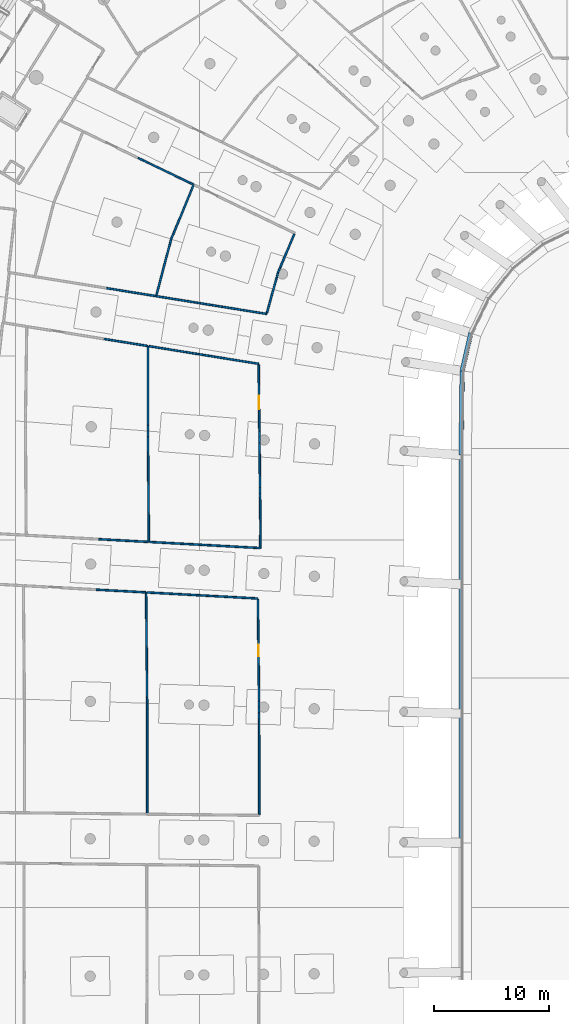
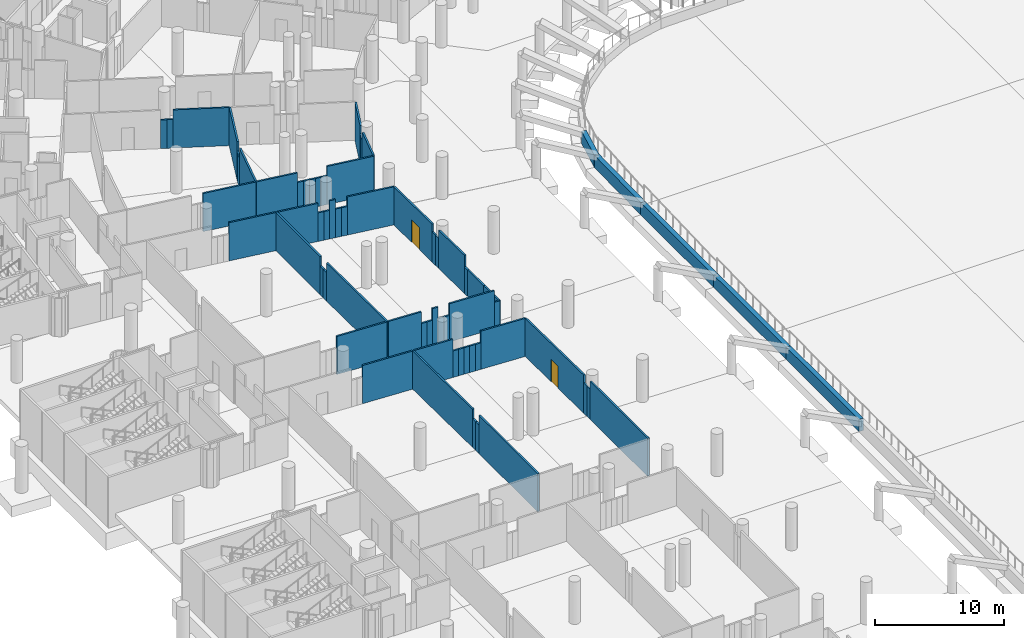
# One storey, part 70 of 142: 68 walls, 2 doors, 2 openings.
"""IFC4 building model written with IfcOpenShell, lengths in metres."""

import ifcopenshell
import ifcopenshell.guid

model = None  # the IFC model being written
_history = None  # IfcOwnerHistory: only IFC2X3 demands one
_inside = {}  # id of a spatial element -> (the spatial element, [elements in it])
_under = {}  # id of a project, library or spatial element -> (it, [spatial elements below it])
_declared = {}  # id of a project -> (the project, [libraries it declares])
_typed = {}  # id of a type object -> (the type object, [elements of that type])
_made_of = {}  # id of a material, layer set ... -> (it, [elements and type objects made of it])


def new_model(schema):
    """Start an empty IFC model of exactly this schema.

    Asked for "IFC4X3", IfcOpenShell would pick the latest addendum, in which some entities
    have other attributes; the version numbers below select the first issue.
    IFC2X3 requires an IfcOwnerHistory on every rooted entity: one is made here for all.
    """
    global model, _history
    if schema == "IFC4X3":
        model = ifcopenshell.file(schema_version=(4, 3, 0, 0))
    else:
        model = ifcopenshell.file(schema=schema)
    _inside.clear()
    _under.clear()
    _declared.clear()
    _typed.clear()
    _made_of.clear()
    _history = None
    if model.schema == "IFC2X3":
        org = make("IfcOrganization", Name="unknown")
        user = make(
            "IfcPersonAndOrganization",
            ThePerson=make("IfcPerson", FamilyName="unknown"),
            TheOrganization=org,
        )
        app = make(
            "IfcApplication",
            ApplicationDeveloper=org,
            Version="unknown",
            ApplicationFullName="unknown",
            ApplicationIdentifier="unknown",
        )
        _history = make(
            "IfcOwnerHistory",
            OwningUser=user,
            OwningApplication=app,
            ChangeAction="ADDED",
            CreationDate=0,
        )
    return model


def make(cls, **values):
    """One entity of the class cls with the attributes given. An attribute that is None is left unset."""
    return model.create_entity(
        cls, **{name: value for name, value in values.items() if value is not None}
    )


def rooted(cls, **values):
    """An entity with a GlobalId (a new one), such as an element, a storey or a relation."""
    return make(cls, GlobalId=ifcopenshell.guid.new(), OwnerHistory=_history, **values)


def si_unit(unit_type, name, prefix=None):
    """IfcSIUnit, for example si_unit("LENGTHUNIT", "METRE", prefix="MILLI")."""
    return make("IfcSIUnit", UnitType=unit_type, Prefix=prefix, Name=name)


def assignment(units):
    """IfcUnitAssignment: the units of a project."""
    return None if units is None else make("IfcUnitAssignment", Units=units)


def point(xyz):
    """IfcCartesianPoint."""
    return None if xyz is None else make("IfcCartesianPoint", Coordinates=xyz)


def direction(xyz):
    """IfcDirection."""
    return None if xyz is None else make("IfcDirection", DirectionRatios=xyz)


def frame(location, z_axis=None, x_axis=None):
    """IfcAxis2Placement3D, a coordinate frame: its origin and axes. An axis left out is left unset."""
    return make(
        "IfcAxis2Placement3D",
        Location=point(location),
        Axis=direction(z_axis),
        RefDirection=direction(x_axis),
    )


def frame_2d(location, x_axis=None):
    """IfcAxis2Placement2D, a coordinate frame in the plane: its origin and x axis."""
    return make(
        "IfcAxis2Placement2D", Location=point(location), RefDirection=direction(x_axis)
    )


def origin():
    """The frame at (0, 0, 0) with its axes left unset."""
    return frame((0.0, 0.0, 0.0))


def place(relative_to, where):
    """IfcLocalPlacement: puts the frame where relative to a parent placement (None: the world)."""
    return make(
        "IfcLocalPlacement", PlacementRelTo=relative_to, RelativePlacement=where
    )


def context(
    kind, dimensions, precision=None, world=None, true_north=None, identifier=None
):
    """IfcGeometricRepresentationContext, for example the 3D "Model" context."""
    return make(
        "IfcGeometricRepresentationContext",
        ContextIdentifier=identifier,
        ContextType=kind,
        CoordinateSpaceDimension=dimensions,
        Precision=precision,
        WorldCoordinateSystem=world,
        TrueNorth=true_north,
    )


def subcontext(parent, identifier, kind, view, scale=None):
    """IfcGeometricRepresentationSubContext, for example "Body" below "Model"."""
    return make(
        "IfcGeometricRepresentationSubContext",
        ContextIdentifier=identifier,
        ContextType=kind,
        ParentContext=parent,
        TargetScale=scale,
        TargetView=view,
    )


def project(units=None, contexts=None):
    """IfcProject with its units and contexts."""
    return rooted(
        "IfcProject",
        Name="project",
        RepresentationContexts=contexts,
        UnitsInContext=assignment(units),
    )


def spatial(cls, under=None, at=None, **own):
    """A site, building, storey or space (cls), placed at a placement, below another one or the project."""
    s = rooted(cls, ObjectPlacement=at, **own)
    if under is not None:
        _under.setdefault(under.id(), (under, []))[1].append(s)
    return s


def profile(cls, at=None, kind="AREA", **sizes):
    """A parametric profile (cls). Its sizes go by their IFC names, for example OverallWidth=200.0."""
    return make(cls, ProfileType=kind, Position=at, **sizes)


def rectangle(**sizes):
    """IfcRectangleProfileDef."""
    return profile("IfcRectangleProfileDef", **sizes)


def extrude(swept, where, along, depth):
    """IfcExtrudedAreaSolid: the profile swept, set in the frame where, extruded along a direction by depth."""
    return make(
        "IfcExtrudedAreaSolid",
        SweptArea=swept,
        Position=where,
        ExtrudedDirection=direction(along),
        Depth=depth,
    )


def shape(context_of_items, identifier, shape_type, items):
    """IfcShapeRepresentation: the items that make up one representation, for example the "Body"."""
    return make(
        "IfcShapeRepresentation",
        ContextOfItems=context_of_items,
        RepresentationIdentifier=identifier,
        RepresentationType=shape_type,
        Items=items,
    )


def material(Name=None, Category=None):
    """IfcMaterial."""
    return make("IfcMaterial", Name=Name, Category=Category)


def layer(
    of_material, thickness, ventilated=None, Name=None, Category=None, Priority=None
):
    """IfcMaterialLayer: one layer of a wall or slab, of a material (None: an air gap)."""
    return make(
        "IfcMaterialLayer",
        Material=of_material,
        LayerThickness=thickness,
        IsVentilated=ventilated,
        Name=Name,
        Category=Category,
        Priority=Priority,
    )


def layer_set(layers, Name=None):
    """IfcMaterialLayerSet."""
    return make("IfcMaterialLayerSet", MaterialLayers=layers, LayerSetName=Name)


def made_of(thing, what):
    """Note that an element or type object is made of a material, layer set ...; save() writes the relation."""
    if what is not None:
        _made_of.setdefault(what.id(), (what, []))[1].append(thing)
    return thing


def type_object(cls, material=None, **own):
    """A type object (cls), such as IfcWallType, which elements share."""
    return made_of(rooted(cls, **own), material)


def element(
    cls,
    number,
    at=None,
    inside=None,
    cuts=None,
    type_object=None,
    material=None,
    context=None,
    identifier="Body",
    shape_type=None,
    held_by="IfcProductDefinitionShape",
    body=None,
    shapes=None,
    **own,
):
    """One element of the class cls, such as IfcWall. Its Tag is "e" and its number.

    at: its placement. inside: the storey or other place that contains it. cuts: it is an
    opening in that element (IfcRelVoidsElement). A single representation is given by context,
    identifier, shape_type and body (its items); several are given by shapes. held_by: the class
    of the entity that holds the representations. save() writes the other relations.
    """
    e = rooted(cls, Tag="e%d" % number, ObjectPlacement=at, **own)
    if body is not None:
        shapes = [shape(context, identifier, shape_type, body)]
    if shapes is not None:
        e.Representation = make(held_by, Representations=shapes)
    if inside is not None:
        _inside.setdefault(inside.id(), (inside, []))[1].append(e)
    if cuts is not None:
        rooted(
            "IfcRelVoidsElement", RelatingBuildingElement=cuts, RelatedOpeningElement=e
        )
    if type_object is not None:
        _typed.setdefault(type_object.id(), (type_object, []))[1].append(e)
    return made_of(e, material)


def fill(opening, filler):
    """IfcRelFillsElement: the door or window that sits in an opening."""
    return rooted(
        "IfcRelFillsElement",
        RelatingOpeningElement=opening,
        RelatedBuildingElement=filler,
    )


def aggregate(whole, parts):
    """IfcRelAggregates: a whole, such as a stair, and the parts it consists of."""
    return rooted("IfcRelAggregates", RelatingObject=whole, RelatedObjects=parts)


def save(model, path):
    """Write the relations noted so far, then the file.

    IfcRelAggregates (storeys below a building ...), IfcRelContainedInSpatialStructure (elements
    in a storey), IfcRelDefinesByType, IfcRelAssociatesMaterial and IfcRelDeclares: one each for
    every whole, place, type object, material and project.
    """
    for whole, parts in _under.values():
        aggregate(whole, parts)
    for where, things in _inside.values():
        rooted(
            "IfcRelContainedInSpatialStructure",
            RelatedElements=things,
            RelatingStructure=where,
        )
    for kind, things in _typed.values():
        rooted("IfcRelDefinesByType", RelatedObjects=things, RelatingType=kind)
    for what, things in _made_of.values():
        rooted("IfcRelAssociatesMaterial", RelatedObjects=things, RelatingMaterial=what)
    for by, libraries in _declared.values():
        rooted("IfcRelDeclares", RelatingContext=by, RelatedDefinitions=libraries)
    model.write(path)


model = new_model("IFC4")

# Units and contexts
model_context = context("Model", 3, precision=1e-05, world=origin(), true_north=direction((0.0, 1.0)))
body_context = subcontext(model_context, "Body", "Model", "MODEL_VIEW")
ifc_project = project(units=[si_unit("LENGTHUNIT", "METRE"), si_unit("AREAUNIT", "SQUARE_METRE"), si_unit("VOLUMEUNIT", "CUBIC_METRE"), si_unit("PLANEANGLEUNIT", "RADIAN"), si_unit("MASSUNIT", "GRAM", prefix="KILO")], contexts=[model_context])

# Site, building, storey
site_placement = place(None, origin())
site = spatial("IfcSite", under=ifc_project, at=site_placement, CompositionType="ELEMENT")
building_placement = place(site_placement, origin())
building = spatial("IfcBuilding", under=site, at=building_placement, Name="Meseta Stadium", CompositionType="ELEMENT")
storey_placement = place(building_placement, frame((0.0, 0.0, -4.0)))
storey = spatial("IfcBuildingStorey", under=building, at=storey_placement, Name="B1", CompositionType="ELEMENT", Elevation=-4.0)

# Walls
ifc_material_1 = material(Name="Masonry blockwork", Category="masonry")
ifc_layer_1 = layer(ifc_material_1, 0.14990234375)
ifc_layer_set_1 = layer_set([ifc_layer_1], Name="Partition 150")
wall_type_1 = type_object("IfcWallType", Name="Partition 150", PredefinedType="PARTITIONING", material=ifc_layer_set_1)
wall_1_placement = place(storey_placement, frame((-58.12939453125, 51.681884765625, 0.0), z_axis=(0.0, 0.0, 1.0), x_axis=(-0.987277601332, 0.159006093931, 0.0)))
element("IfcWall", 1, at=wall_1_placement, inside=storey, type_object=wall_type_1, Name="Partition B1 B1-cell13-1-0", PredefinedType="PARTITIONING", context=body_context, shape_type="SweptSolid", body=[
    extrude(rectangle(XDim=3.89990234375, YDim=0.14990234375, at=frame_2d((1.949951171875, 0.0))), origin(), (0.0, 0.0, 1.0), 3.60009765625),
])
wall_2_placement = place(storey_placement, frame((-61.979736328125, 52.302001953125, 0.0), z_axis=(0.0, 0.0, 1.0), x_axis=(-0.987324767868, 0.158712957107, 0.0)))
element("IfcWall", 2, at=wall_2_placement, inside=storey, type_object=wall_type_1, Name="Partition B1 B1-cell13-1-0", PredefinedType="PARTITIONING", context=body_context, shape_type="SweptSolid", body=[
    extrude(rectangle(XDim=0.487548828125, YDim=0.14990234375, at=frame_2d((0.24365234375, 0.0))), origin(), (0.0, 0.0, 1.0), 2.699951171875),
])
for number, where, z_axis, x_axis, name in (
    (3, (-62.461181640625, 52.37939453125, 0.0), (0.0, 0.0, 1.0), (-0.987312146687, 0.158791451294, 0.0), "Partition B1 B1-cell13-1-0"),
    (4, (-62.9423828125, 52.456787109375, 0.0), (0.0, 0.0, 1.0), (-0.987233499712, 0.159279681841, 0.0), "Partition B1 B1-cell13-1-0"),
):
    element("IfcWall", number, at=place(storey_placement, frame(where, z_axis=z_axis, x_axis=x_axis)), inside=storey, type_object=wall_type_1, Name=name, PredefinedType="PARTITIONING", context=body_context, shape_type="SweptSolid", body=[
        extrude(rectangle(XDim=0.4873046875, YDim=0.14990234375, at=frame_2d((0.24365234375, 0.0))), origin(), (0.0, 0.0, 1.0), 2.699951171875),
    ])
wall_3_placement = place(storey_placement, frame((-63.423583984375, 52.534423828125, 0.0), z_axis=(0.0, 0.0, 1.0), x_axis=(-0.987246197614, 0.159200958844, 0.0)))
element("IfcWall", 5, at=wall_3_placement, inside=storey, type_object=wall_type_1, Name="Partition B1 B1-cell13-1-0", PredefinedType="PARTITIONING", context=body_context, shape_type="SweptSolid", body=[
    extrude(rectangle(XDim=0.487548828125, YDim=0.14990234375, at=frame_2d((0.24365234375, 0.0))), origin(), (0.0, 0.0, 1.0), 2.699951171875),
])
wall_4_placement = place(storey_placement, frame((-63.905029296875, 52.612060546875, 0.0), z_axis=(0.0, 0.0, 1.0), x_axis=(-0.987312146687, 0.158791451294, 0.0)))
element("IfcWall", 6, at=wall_4_placement, inside=storey, type_object=wall_type_1, Name="Partition B1 B1-cell13-1-0", PredefinedType="PARTITIONING", context=body_context, shape_type="SweptSolid", body=[
    extrude(rectangle(XDim=0.4873046875, YDim=0.14990234375, at=frame_2d((0.24365234375, 0.0))), origin(), (0.0, 0.0, 1.0), 2.699951171875),
])
wall_5_placement = place(storey_placement, frame((-64.38623046875, 52.689453125, 0.0), z_axis=(0.0, 0.0, 1.0), x_axis=(-0.987272663744, 0.15903674866, 0.0)))
element("IfcWall", 7, at=wall_5_placement, inside=storey, type_object=wall_type_1, Name="Partition B1 B1-cell13-1-0", PredefinedType="PARTITIONING", context=body_context, shape_type="SweptSolid", body=[
    extrude(rectangle(XDim=3.41259765625, YDim=0.14990234375, at=frame_2d((1.706298828125, 0.0))), origin(), (0.0, 0.0, 1.0), 3.60009765625),
])
wall_6_placement = place(storey_placement, frame((-67.736083984375, 53.304931640625, 0.0), z_axis=(0.0, 0.0, 1.0), x_axis=(0.254938171393, 0.96695735623, 0.0)))
element("IfcWall", 8, at=wall_6_placement, inside=storey, type_object=wall_type_1, Name="Partition B1 B1-cell13-1-0", PredefinedType="PARTITIONING", context=body_context, shape_type="SweptSolid", body=[
    extrude(rectangle(XDim=4.591796875, YDim=0.14990234375, at=frame_2d((2.2958984375, 0.0))), origin(), (0.0, 0.0, 1.0), 3.60009765625),
])
for number, where, z_axis, x_axis, name in (
    (9, (-66.5654296875, 57.7451171875, 0.0), (0.0, 0.0, 1.0), (0.255317300773, 0.966857319322, 0.0), "Partition B1 B1-cell13-1-0"),
    (10, (-66.4462890625, 58.1962890625, 0.0), (0.0, 0.0, 1.0), (0.382459617246, 0.923972208011, 0.0), "Partition B1 B1-cell13-1-0"),
):
    element("IfcWall", number, at=place(storey_placement, frame(where, z_axis=z_axis, x_axis=x_axis)), inside=storey, type_object=wall_type_1, Name=name, PredefinedType="PARTITIONING", context=body_context, shape_type="SweptSolid", body=[
        extrude(rectangle(XDim=0.466552734375, YDim=0.14990234375, at=frame_2d((0.2333984375, 0.0))), origin(), (0.0, 0.0, 1.0), 2.699951171875),
    ])
wall_7_placement = place(storey_placement, frame((-66.267822265625, 58.62744140625, 0.0), z_axis=(0.0, 0.0, 1.0), x_axis=(0.382649092979, 0.923893755603, 0.0)))
element("IfcWall", 11, at=wall_7_placement, inside=storey, type_object=wall_type_1, Name="Partition B1 B1-cell13-1-0", PredefinedType="PARTITIONING", context=body_context, shape_type="SweptSolid", body=[
    extrude(rectangle(XDim=4.666015625, YDim=0.14990234375, at=frame_2d((2.3330078125, 0.0))), origin(), (0.0, 0.0, 1.0), 3.60009765625),
])
wall_8_placement = place(storey_placement, frame((-55.724853515625, 58.643310546875, 0.0), z_axis=(0.0, 0.0, 1.0), x_axis=(-0.38848189188, -0.92145635799, 0.0)))
element("IfcWall", 12, at=wall_8_placement, inside=storey, type_object=wall_type_1, Name="Partition B1 B1-cell13-1-0", PredefinedType="PARTITIONING", context=body_context, shape_type="SweptSolid", body=[
    extrude(rectangle(XDim=3.18505859375, YDim=0.14990234375, at=frame_2d((1.592529296875, 0.0))), origin(), (0.0, 0.0, 1.0), 3.60009765625),
])
wall_9_placement = place(storey_placement, frame((-56.962158203125, 55.70849609375, 0.0), z_axis=(0.0, 0.0, 1.0), x_axis=(-0.388408472716, -0.921487307738, 0.0)))
element("IfcWall", 13, at=wall_9_placement, inside=storey, type_object=wall_type_1, Name="Partition B1 B1-cell13-1-0", PredefinedType="PARTITIONING", context=body_context, shape_type="SweptSolid", body=[
    extrude(rectangle(XDim=0.4658203125, YDim=0.14990234375, at=frame_2d((0.23291015625, 0.0))), origin(), (0.0, 0.0, 1.0), 2.85009765625),
])
wall_10_placement = place(storey_placement, frame((-57.14306640625, 55.279296875, 0.0), z_axis=(0.0, 0.0, 1.0), x_axis=(-0.264401928242, -0.964412577864, 0.0)))
element("IfcWall", 14, at=wall_10_placement, inside=storey, type_object=wall_type_1, Name="Partition B1 B1-cell13-1-0", PredefinedType="PARTITIONING", context=body_context, shape_type="SweptSolid", body=[
    extrude(rectangle(XDim=0.46630859375, YDim=0.14990234375, at=frame_2d((0.233154296875, 0.0))), origin(), (0.0, 0.0, 1.0), 2.85009765625),
])
wall_11_placement = place(storey_placement, frame((-57.266357421875, 54.82958984375, 0.0), z_axis=(0.0, 0.0, 1.0), x_axis=(-0.264451721777, -0.96439892516, 0.0)))
element("IfcWall", 15, at=wall_11_placement, inside=storey, type_object=wall_type_1, Name="Partition B1 B1-cell13-1-0", PredefinedType="PARTITIONING", context=body_context, shape_type="SweptSolid", body=[
    extrude(rectangle(XDim=3.188720703125, YDim=0.14990234375, at=frame_2d((1.59423828125, 0.0))), origin(), (0.0, 0.0, 1.0), 3.60009765625),
])
wall_12_placement = place(storey_placement, frame((-67.8046875, 53.239990234375, 0.0), z_axis=(0.0, 0.0, 1.0), x_axis=(-0.9872743449, 0.159026311983, 0.0)))
element("IfcWall", 16, at=wall_12_placement, inside=storey, type_object=wall_type_1, Name="Partition B1 B1-cell13-2-0", PredefinedType="PARTITIONING", context=body_context, shape_type="SweptSolid", body=[
    extrude(rectangle(XDim=4.35693359375, YDim=0.14990234375, at=frame_2d((2.178466796875, 0.0))), origin(), (0.0, 0.0, 1.0), 3.60009765625),
])
wall_13_placement = place(storey_placement, frame((-69.326416015625, 65.267822265625, 0.0), z_axis=(0.0, 0.0, 1.0), x_axis=(0.901176710287, -0.433451885261, 0.0)))
element("IfcWall", 17, at=wall_13_placement, inside=storey, type_object=wall_type_1, Name="Partition B1 B1-cell13-2-0", PredefinedType="PARTITIONING", context=body_context, shape_type="SweptSolid", body=[
    extrude(rectangle(XDim=0.484375, YDim=0.14990234375, at=frame_2d((0.2421875, 0.0))), origin(), (0.0, 0.0, 1.0), 2.699951171875),
])
wall_14_placement = place(storey_placement, frame((-68.889892578125, 65.057861328125, 0.0), z_axis=(0.0, 0.0, 1.0), x_axis=(0.901184206062, -0.433436300676, 0.0)))
element("IfcWall", 18, at=wall_14_placement, inside=storey, type_object=wall_type_1, Name="Partition B1 B1-cell13-2-0", PredefinedType="PARTITIONING", context=body_context, shape_type="SweptSolid", body=[
    extrude(rectangle(XDim=0.48388671875, YDim=0.14990234375, at=frame_2d((0.241943359375, 0.0))), origin(), (0.0, 0.0, 1.0), 2.699951171875),
])
wall_15_placement = place(storey_placement, frame((-68.453857421875, 64.84814453125, 0.0), z_axis=(0.0, 0.0, 1.0), x_axis=(0.901191399525, -0.433421343986, 0.0)))
element("IfcWall", 19, at=wall_15_placement, inside=storey, type_object=wall_type_1, Name="Partition B1 B1-cell13-2-0", PredefinedType="PARTITIONING", context=body_context, shape_type="SweptSolid", body=[
    extrude(rectangle(XDim=4.35693359375, YDim=0.14990234375, at=frame_2d((2.178466796875, 0.0))), origin(), (0.0, 0.0, 1.0), 3.60009765625),
])
wall_16_placement = place(storey_placement, frame((-68.38818359375, 31.829833984375, 0.0), z_axis=(0.0, 0.0, 1.0), x_axis=(-0.008385393601, 0.999964841969, 0.0)))
element("IfcWall", 20, at=wall_16_placement, inside=storey, type_object=wall_type_1, Name="Partition B1 B1-cell14-1-0", PredefinedType="PARTITIONING", context=body_context, shape_type="SweptSolid", body=[
    extrude(rectangle(XDim=9.171142578125, YDim=0.14990234375, at=frame_2d((4.58544921875, 0.0))), origin(), (0.0, 0.0, 1.0), 3.60009765625),
])
wall_17_placement = place(storey_placement, frame((-68.465087890625, 41.000732421875, 0.0), z_axis=(0.0, 0.0, 1.0), x_axis=(-0.008598569316, 0.99996303162, 0.0)))
element("IfcWall", 21, at=wall_17_placement, inside=storey, type_object=wall_type_1, Name="Partition B1 B1-cell14-1-0", PredefinedType="PARTITIONING", context=body_context, shape_type="SweptSolid", body=[
    extrude(rectangle(XDim=0.482666015625, YDim=0.14990234375, at=frame_2d((0.2412109375, 0.0))), origin(), (0.0, 0.0, 1.0), 2.699951171875),
])
wall_18_placement = place(storey_placement, frame((-68.46923828125, 41.4833984375, 0.0), z_axis=(0.0, 0.0, 1.0), x_axis=(0.001978235496, 0.99999804329, 0.0)))
element("IfcWall", 22, at=wall_18_placement, inside=storey, type_object=wall_type_1, Name="Partition B1 B1-cell14-1-0", PredefinedType="PARTITIONING", context=body_context, shape_type="SweptSolid", body=[
    extrude(rectangle(XDim=0.49365234375, YDim=0.14990234375, at=frame_2d((0.246826171875, 0.0))), origin(), (0.0, 0.0, 1.0), 2.699951171875),
])
wall_19_placement = place(storey_placement, frame((-68.46826171875, 41.97705078125, 0.0), z_axis=(0.0, 0.0, 1.0), x_axis=(0.00190758449, 0.999998180559, 0.0)))
element("IfcWall", 23, at=wall_19_placement, inside=storey, type_object=wall_type_1, Name="Partition B1 B1-cell14-1-0", PredefinedType="PARTITIONING", context=body_context, shape_type="SweptSolid", body=[
    extrude(rectangle(XDim=6.9111328125, YDim=0.14990234375, at=frame_2d((3.45556640625, 0.0))), origin(), (0.0, 0.0, 1.0), 3.60009765625),
])
wall_20_placement = place(storey_placement, frame((-68.3798828125, 48.8759765625, 0.0), z_axis=(0.0, 0.0, 1.0), x_axis=(0.987277089278, -0.159009273273, 0.0)))
element("IfcWall", 24, at=wall_20_placement, inside=storey, type_object=wall_type_1, Name="Partition B1 B1-cell14-1-0", PredefinedType="PARTITIONING", context=body_context, shape_type="SweptSolid", body=[
    extrude(rectangle(XDim=3.33642578125, YDim=0.14990234375, at=frame_2d((1.668212890625, 0.0))), origin(), (0.0, 0.0, 1.0), 3.60009765625),
])
wall_21_placement = place(storey_placement, frame((-65.0859375, 48.345458984375, 0.0), z_axis=(0.0, 0.0, 1.0), x_axis=(0.987246197614, -0.159200958844, 0.0)))
element("IfcWall", 25, at=wall_21_placement, inside=storey, type_object=wall_type_1, Name="Partition B1 B1-cell14-1-0", PredefinedType="PARTITIONING", context=body_context, shape_type="SweptSolid", body=[
    extrude(rectangle(XDim=0.487548828125, YDim=0.14990234375, at=frame_2d((0.24365234375, 0.0))), origin(), (0.0, 0.0, 1.0), 2.699951171875),
])
wall_22_placement = place(storey_placement, frame((-64.6044921875, 48.267822265625, 0.0), z_axis=(0.0, 0.0, 1.0), x_axis=(0.987312146687, -0.158791451294, 0.0)))
element("IfcWall", 26, at=wall_22_placement, inside=storey, type_object=wall_type_1, Name="Partition B1 B1-cell14-1-0", PredefinedType="PARTITIONING", context=body_context, shape_type="SweptSolid", body=[
    extrude(rectangle(XDim=0.4873046875, YDim=0.14990234375, at=frame_2d((0.24365234375, 0.0))), origin(), (0.0, 0.0, 1.0), 2.699951171875),
])
wall_23_placement = place(storey_placement, frame((-64.123291015625, 48.1904296875, 0.0), z_axis=(0.0, 0.0, 1.0), x_axis=(0.987233499712, -0.159279681841, 0.0)))
element("IfcWall", 27, at=wall_23_placement, inside=storey, type_object=wall_type_1, Name="Partition B1 B1-cell14-1-0", PredefinedType="PARTITIONING", context=body_context, shape_type="SweptSolid", body=[
    extrude(rectangle(XDim=0.4873046875, YDim=0.14990234375, at=frame_2d((0.24365234375, 0.0))), origin(), (0.0, 0.0, 1.0), 3.60009765625),
])
wall_24_placement = place(storey_placement, frame((-63.64208984375, 48.11279296875, 0.0), z_axis=(0.0, 0.0, 1.0), x_axis=(0.987324767868, -0.158712957107, 0.0)))
element("IfcWall", 28, at=wall_24_placement, inside=storey, type_object=wall_type_1, Name="Partition B1 B1-cell14-1-0", PredefinedType="PARTITIONING", context=body_context, shape_type="SweptSolid", body=[
    extrude(rectangle(XDim=0.487548828125, YDim=0.14990234375, at=frame_2d((0.24365234375, 0.0))), origin(), (0.0, 0.0, 1.0), 2.699951171875),
])
wall_25_placement = place(storey_placement, frame((-63.16064453125, 48.035400390625, 0.0), z_axis=(0.0, 0.0, 1.0), x_axis=(0.987312146687, -0.158791451294, 0.0)))
element("IfcWall", 29, at=wall_25_placement, inside=storey, type_object=wall_type_1, Name="Partition B1 B1-cell14-1-0", PredefinedType="PARTITIONING", context=body_context, shape_type="SweptSolid", body=[
    extrude(rectangle(XDim=0.4873046875, YDim=0.14990234375, at=frame_2d((0.24365234375, 0.0))), origin(), (0.0, 0.0, 1.0), 2.699951171875),
])
wall_26_placement = place(storey_placement, frame((-62.679443359375, 47.9580078125, 0.0), z_axis=(0.0, 0.0, 1.0), x_axis=(0.987279183919, -0.158996267255, 0.0)))
element("IfcWall", 30, at=wall_26_placement, inside=storey, type_object=wall_type_1, Name="Partition B1 B1-cell14-1-0", PredefinedType="PARTITIONING", context=body_context, shape_type="SweptSolid", body=[
    extrude(rectangle(XDim=3.900146484375, YDim=0.14990234375, at=frame_2d((1.9501953125, 0.0))), origin(), (0.0, 0.0, 1.0), 3.60009765625),
])

# Wall, opening, door
wall_27_placement = place(storey_placement, frame((-58.828125, 47.26171875, 0.0), z_axis=(0.0, 0.0, 1.0), x_axis=(0.010975410217, -0.999939768371, 0.0)))
wall_27 = element("IfcWall", 31, at=wall_27_placement, inside=storey, type_object=wall_type_1, Name="Partition B1 B1-cell14-1-0", PredefinedType="PARTITIONING", context=body_context, shape_type="SweptSolid", body=[
    extrude(rectangle(XDim=5.8056640625, YDim=0.14990234375, at=frame_2d((2.90283203125, 0.0))), origin(), (0.0, 0.0, 1.0), 3.60009765625),
])
opening_1_placement = place(wall_27_placement, frame((2.699951171875, 0.0, 0.0)))
opening_1 = element("IfcOpeningElement", 32, at=opening_1_placement, cuts=wall_27, Name="Opening D473", PredefinedType="OPENING", context=body_context, shape_type="SweptSolid", body=[
    extrude(rectangle(XDim=1.199951171875, YDim=2.10009765625, at=frame_2d((0.60009765625, 1.050048828125))), frame((0.0, 0.0849609375, 0.0), z_axis=(0.0, -1.0, 0.0), x_axis=(1.0, 0.0, 0.0)), (0.0, 0.0, 1.0), 0.169921875),
])
ifc_material_2 = material(Name="Steel", Category="steel")
door_type_1 = type_object("IfcDoorType", Name="Fire door 1200x2100 EI2 60", OperationType="NOTDEFINED", PredefinedType="DOOR", material=ifc_material_2)
door_1_placement = place(opening_1_placement, origin())
door_1 = element("IfcDoor", 33, at=door_1_placement, inside=storey, type_object=door_type_1, Name="Door D473", OperationType="SINGLE_SWING_RIGHT", OverallHeight=2.10009765625, OverallWidth=1.199951171875, PredefinedType="DOOR", context=body_context, shape_type="SweptSolid", body=[
    extrude(rectangle(XDim=1.199951171875, YDim=2.10009765625, at=frame_2d((0.60009765625, 1.050048828125))), frame((0.0, 0.02490234375, 0.0), z_axis=(0.0, -1.0, 0.0), x_axis=(1.0, 0.0, 0.0)), (0.0, 0.0, 1.0), 0.050048828125),
])
fill(opening_1, door_1)

# Walls
for number, where, z_axis, x_axis, name in (
    (34, (-58.764404296875, 41.456298828125, 0.0), (0.0, 0.0, 1.0), (0.010955517781, -0.999939986514, 0.0), "Partition B1 B1-cell14-1-0"),
    (35, (-58.759033203125, 40.966064453125, 0.0), (0.0, 0.0, 1.0), (0.010955517781, -0.999939986514, 0.0), "Partition B1 B1-cell14-1-0"),
):
    element("IfcWall", number, at=place(storey_placement, frame(where, z_axis=z_axis, x_axis=x_axis)), inside=storey, type_object=wall_type_1, Name=name, PredefinedType="PARTITIONING", context=body_context, shape_type="SweptSolid", body=[
        extrude(rectangle(XDim=0.490234375, YDim=0.14990234375, at=frame_2d((0.2451171875, 0.0))), origin(), (0.0, 0.0, 1.0), 2.85009765625),
    ])
wall_28_placement = place(storey_placement, frame((-58.753662109375, 40.475830078125, 0.0), z_axis=(0.0, 0.0, 1.0), x_axis=(0.011019815239, -0.999939279993, 0.0)))
element("IfcWall", 36, at=wall_28_placement, inside=storey, type_object=wall_type_1, Name="Partition B1 B1-cell14-1-0", PredefinedType="PARTITIONING", context=body_context, shape_type="SweptSolid", body=[
    extrude(rectangle(XDim=3.92138671875, YDim=0.14990234375, at=frame_2d((1.960693359375, 0.0))), origin(), (0.0, 0.0, 1.0), 3.60009765625),
])
wall_29_placement = place(storey_placement, frame((-58.71044921875, 36.5546875, 0.0), z_axis=(0.0, 0.0, 1.0), x_axis=(0.010960975778, -0.999939926701, 0.0)))
element("IfcWall", 37, at=wall_29_placement, inside=storey, type_object=wall_type_1, Name="Partition B1 B1-cell14-1-0", PredefinedType="PARTITIONING", context=body_context, shape_type="SweptSolid", body=[
    extrude(rectangle(XDim=0.489990234375, YDim=0.14990234375, at=frame_2d((0.2451171875, 0.0))), origin(), (0.0, 0.0, 1.0), 2.5),
])
wall_30_placement = place(storey_placement, frame((-58.705078125, 36.064697265625, 0.0), z_axis=(0.0, 0.0, 1.0), x_axis=(0.010957700327, -0.9999399626, 0.0)))
element("IfcWall", 38, at=wall_30_placement, inside=storey, type_object=wall_type_1, Name="Partition B1 B1-cell14-1-0", PredefinedType="PARTITIONING", context=body_context, shape_type="SweptSolid", body=[
    extrude(rectangle(XDim=2.450927734375, YDim=0.14990234375, at=frame_2d((1.2255859375, 0.0))), origin(), (0.0, 0.0, 1.0), 2.5),
])
wall_31_placement = place(storey_placement, frame((-58.67822265625, 33.614013671875, 0.0), z_axis=(0.0, 0.0, 1.0), x_axis=(-0.001475546454, -0.999998911381, 0.0)))
element("IfcWall", 39, at=wall_31_placement, inside=storey, type_object=wall_type_1, Name="Partition B1 B1-cell14-1-0", PredefinedType="PARTITIONING", context=body_context, shape_type="SweptSolid", body=[
    extrude(rectangle(XDim=2.31640625, YDim=0.14990234375, at=frame_2d((1.158203125, 0.0))), origin(), (0.0, 0.0, 1.0), 2.5),
])
wall_32_placement = place(storey_placement, frame((-58.681640625, 31.297607421875, 0.0), z_axis=(0.0, 0.0, 1.0), x_axis=(-0.998500272347, 0.054746745315, 0.0)))
element("IfcWall", 40, at=wall_32_placement, inside=storey, type_object=wall_type_1, Name="Partition B1 B1-cell14-1-0", PredefinedType="PARTITIONING", context=body_context, shape_type="SweptSolid", body=[
    extrude(rectangle(XDim=0.486083984375, YDim=0.14990234375, at=frame_2d((0.2431640625, 0.0))), origin(), (0.0, 0.0, 1.0), 2.5),
])
wall_33_placement = place(storey_placement, frame((-59.1669921875, 31.32421875, 0.0), z_axis=(0.0, 0.0, 1.0), x_axis=(-0.998500084156, 0.054750177538, 0.0)))
element("IfcWall", 41, at=wall_33_placement, inside=storey, type_object=wall_type_1, Name="Partition B1 B1-cell14-1-0", PredefinedType="PARTITIONING", context=body_context, shape_type="SweptSolid", body=[
    extrude(rectangle(XDim=3.888427734375, YDim=0.14990234375, at=frame_2d((1.9443359375, 0.0))), origin(), (0.0, 0.0, 1.0), 3.60009765625),
])
for number, where, z_axis, x_axis, name in (
    (42, (-63.049560546875, 31.537109375, 0.0), (0.0, 0.0, 1.0), (-0.998500272347, 0.054746745315, 0.0), "Partition B1 B1-cell14-1-0"),
    (43, (-63.534912109375, 31.563720703125, 0.0), (0.0, 0.0, 1.0), (-0.998500272347, 0.054746745315, 0.0), "Partition B1 B1-cell14-1-0"),
):
    element("IfcWall", number, at=place(storey_placement, frame(where, z_axis=z_axis, x_axis=x_axis)), inside=storey, type_object=wall_type_1, Name=name, PredefinedType="PARTITIONING", context=body_context, shape_type="SweptSolid", body=[
        extrude(rectangle(XDim=0.486083984375, YDim=0.14990234375, at=frame_2d((0.2431640625, 0.0))), origin(), (0.0, 0.0, 1.0), 2.5),
    ])
wall_34_placement = place(storey_placement, frame((-64.020263671875, 31.59033203125, 0.0), z_axis=(0.0, 0.0, 1.0), x_axis=(-0.998500272347, 0.054746745315, 0.0)))
element("IfcWall", 44, at=wall_34_placement, inside=storey, type_object=wall_type_1, Name="Partition B1 B1-cell14-1-0", PredefinedType="PARTITIONING", context=body_context, shape_type="SweptSolid", body=[
    extrude(rectangle(XDim=0.486083984375, YDim=0.14990234375, at=frame_2d((0.2431640625, 0.0))), origin(), (0.0, 0.0, 1.0), 3.60009765625),
])
for number, where, z_axis, x_axis, name in (
    (45, (-64.505615234375, 31.616943359375, 0.0), (0.0, 0.0, 1.0), (-0.998500272347, 0.054746745315, 0.0), "Partition B1 B1-cell14-1-0"),
    (46, (-64.990966796875, 31.6435546875, 0.0), (0.0, 0.0, 1.0), (-0.998500272347, 0.054746745315, 0.0), "Partition B1 B1-cell14-1-0"),
):
    element("IfcWall", number, at=place(storey_placement, frame(where, z_axis=z_axis, x_axis=x_axis)), inside=storey, type_object=wall_type_1, Name=name, PredefinedType="PARTITIONING", context=body_context, shape_type="SweptSolid", body=[
        extrude(rectangle(XDim=0.486083984375, YDim=0.14990234375, at=frame_2d((0.2431640625, 0.0))), origin(), (0.0, 0.0, 1.0), 2.5),
    ])
wall_35_placement = place(storey_placement, frame((-65.476318359375, 31.670166015625, 0.0), z_axis=(0.0, 0.0, 1.0), x_axis=(-0.998500801574, 0.054737092134, 0.0)))
element("IfcWall", 47, at=wall_35_placement, inside=storey, type_object=wall_type_1, Name="Partition B1 B1-cell14-1-0", PredefinedType="PARTITIONING", context=body_context, shape_type="SweptSolid", body=[
    extrude(rectangle(XDim=2.841064453125, YDim=0.14990234375, at=frame_2d((1.42041015625, 0.0))), origin(), (0.0, 0.0, 1.0), 3.60009765625),
])
wall_36_placement = place(storey_placement, frame((-68.438232421875, 31.83251953125, 0.0), z_axis=(0.0, 0.0, 1.0), x_axis=(-0.998500264643, 0.054746885827, 0.0)))
element("IfcWall", 48, at=wall_36_placement, inside=storey, type_object=wall_type_1, Name="Partition B1 B1-cell14-2-0", PredefinedType="PARTITIONING", context=body_context, shape_type="SweptSolid", body=[
    extrude(rectangle(XDim=4.35693359375, YDim=0.14990234375, at=frame_2d((2.178466796875, 0.0))), origin(), (0.0, 0.0, 1.0), 3.60009765625),
])
wall_37_placement = place(storey_placement, frame((-72.327880859375, 49.51171875, 0.0), z_axis=(0.0, 0.0, 1.0), x_axis=(0.987280411131, -0.158988646758, 0.0)))
element("IfcWall", 49, at=wall_37_placement, inside=storey, type_object=wall_type_1, Name="Partition B1 B1-cell14-2-0", PredefinedType="PARTITIONING", context=body_context, shape_type="SweptSolid", body=[
    extrude(rectangle(XDim=3.872802734375, YDim=0.14990234375, at=frame_2d((1.9365234375, 0.0))), origin(), (0.0, 0.0, 1.0), 3.60009765625),
])
wall_38_placement = place(storey_placement, frame((-68.5244140625, 8.201904296875, 0.0), z_axis=(0.0, 0.0, 1.0), x_axis=(-0.001127273963, 0.999999364627, 0.0)))
element("IfcWall", 50, at=wall_38_placement, inside=storey, type_object=wall_type_1, Name="Partition B1 B1-cell15-1-0", PredefinedType="PARTITIONING", context=body_context, shape_type="SweptSolid", body=[
    extrude(rectangle(XDim=9.09619140625, YDim=0.14990234375, at=frame_2d((4.548095703125, 0.0))), origin(), (0.0, 0.0, 1.0), 3.60009765625),
])
for number, where, z_axis, x_axis, name in (
    (51, (-68.53466796875, 17.298095703125, 0.0), (0.0, 0.0, 1.0), (-0.001011633271, 0.999999488299, 0.0), "Partition B1 B1-cell15-1-0"),
    (52, (-68.53515625, 17.78076171875, 0.0), (0.0, 0.0, 1.0), (-0.009610077198, 0.999953822142, 0.0), "Partition B1 B1-cell15-1-0"),
):
    element("IfcWall", number, at=place(storey_placement, frame(where, z_axis=z_axis, x_axis=x_axis)), inside=storey, type_object=wall_type_1, Name=name, PredefinedType="PARTITIONING", context=body_context, shape_type="SweptSolid", body=[
        extrude(rectangle(XDim=0.482666015625, YDim=0.14990234375, at=frame_2d((0.2412109375, 0.0))), origin(), (0.0, 0.0, 1.0), 2.699951171875),
    ])
wall_39_placement = place(storey_placement, frame((-68.539794921875, 18.263427734375, 0.0), z_axis=(0.0, 0.0, 1.0), x_axis=(-0.009740575327, 0.999952559471, 0.0)))
element("IfcWall", 53, at=wall_39_placement, inside=storey, type_object=wall_type_1, Name="Partition B1 B1-cell15-1-0", PredefinedType="PARTITIONING", context=body_context, shape_type="SweptSolid", body=[
    extrude(rectangle(XDim=9.173583984375, YDim=0.14990234375, at=frame_2d((4.5869140625, 0.0))), origin(), (0.0, 0.0, 1.0), 3.60009765625),
])
wall_40_placement = place(storey_placement, frame((-68.55419921875, 27.432373046875, 0.0), z_axis=(0.0, 0.0, 1.0), x_axis=(0.998497934157, -0.054789373823, 0.0)))
element("IfcWall", 54, at=wall_40_placement, inside=storey, type_object=wall_type_1, Name="Partition B1 B1-cell15-1-0", PredefinedType="PARTITIONING", context=body_context, shape_type="SweptSolid", body=[
    extrude(rectangle(XDim=3.337646484375, YDim=0.14990234375, at=frame_2d((1.6689453125, 0.0))), origin(), (0.0, 0.0, 1.0), 3.60009765625),
])
wall_41_placement = place(storey_placement, frame((-65.2216796875, 27.24951171875, 0.0), z_axis=(0.0, 0.0, 1.0), x_axis=(0.99850777107, -0.054609807851, 0.0)))
element("IfcWall", 55, at=wall_41_placement, inside=storey, type_object=wall_type_1, Name="Partition B1 B1-cell15-1-0", PredefinedType="PARTITIONING", context=body_context, shape_type="SweptSolid", body=[
    extrude(rectangle(XDim=0.4873046875, YDim=0.14990234375, at=frame_2d((0.24365234375, 0.0))), origin(), (0.0, 0.0, 1.0), 2.5),
])
for number, where, z_axis, x_axis, name in (
    (56, (-64.735107421875, 27.222900390625, 0.0), (0.0, 0.0, 1.0), (0.998509264069, -0.054582502399, 0.0), "Partition B1 B1-cell15-1-0"),
    (57, (-64.248291015625, 27.1962890625, 0.0), (0.0, 0.0, 1.0), (0.998509264069, -0.054582502399, 0.0), "Partition B1 B1-cell15-1-0"),
    (58, (-63.761474609375, 27.169677734375, 0.0), (0.0, 0.0, 1.0), (0.998481848187, -0.055081746891, 0.0), "Partition B1 B1-cell15-1-0"),
    (59, (-63.274658203125, 27.142822265625, 0.0), (0.0, 0.0, 1.0), (0.998509264069, -0.054582502399, 0.0), "Partition B1 B1-cell15-1-0"),
):
    element("IfcWall", number, at=place(storey_placement, frame(where, z_axis=z_axis, x_axis=x_axis)), inside=storey, type_object=wall_type_1, Name=name, PredefinedType="PARTITIONING", context=body_context, shape_type="SweptSolid", body=[
        extrude(rectangle(XDim=0.487548828125, YDim=0.14990234375, at=frame_2d((0.24365234375, 0.0))), origin(), (0.0, 0.0, 1.0), 2.5),
    ])
wall_42_placement = place(storey_placement, frame((-62.787841796875, 27.1162109375, 0.0), z_axis=(0.0, 0.0, 1.0), x_axis=(0.99849863659, -0.054776570973, 0.0)))
element("IfcWall", 60, at=wall_42_placement, inside=storey, type_object=wall_type_1, Name="Partition B1 B1-cell15-1-0", PredefinedType="PARTITIONING", context=body_context, shape_type="SweptSolid", body=[
    extrude(rectangle(XDim=3.89990234375, YDim=0.14990234375, at=frame_2d((1.949951171875, 0.0))), origin(), (0.0, 0.0, 1.0), 3.60009765625),
])

# Wall, opening, door
wall_43_placement = place(storey_placement, frame((-58.892822265625, 26.82763671875, 0.0), z_axis=(0.0, 0.0, 1.0), x_axis=(0.010926053522, -0.999940308896, 0.0)))
wall_43 = element("IfcWall", 61, at=wall_43_placement, inside=storey, type_object=wall_type_1, Name="Partition B1 B1-cell15-1-0", PredefinedType="PARTITIONING", context=body_context, shape_type="SweptSolid", body=[
    extrude(rectangle(XDim=8.870849609375, YDim=0.14990234375, at=frame_2d((4.435546875, 0.0))), origin(), (0.0, 0.0, 1.0), 3.60009765625),
])
opening_2_placement = place(wall_43_placement, frame((3.949951171875, 0.0, 0.0)))
opening_2 = element("IfcOpeningElement", 62, at=opening_2_placement, cuts=wall_43, Name="Opening D476", PredefinedType="OPENING", context=body_context, shape_type="SweptSolid", body=[
    extrude(rectangle(XDim=1.0, YDim=2.10009765625, at=frame_2d((0.5, 1.050048828125))), frame((0.0, 0.0849609375, 0.0), z_axis=(0.0, -1.0, 0.0), x_axis=(1.0, 0.0, 0.0)), (0.0, 0.0, 1.0), 0.169921875),
])
ifc_material_3 = material(Name="Steel", Category="steel")
door_type_2 = type_object("IfcDoorType", Name="Fire door 1000x2100 EI2 60", OperationType="NOTDEFINED", PredefinedType="DOOR", material=ifc_material_3)
door_2_placement = place(opening_2_placement, origin())
door_2 = element("IfcDoor", 63, at=door_2_placement, inside=storey, type_object=door_type_2, Name="Door D476", OperationType="SINGLE_SWING_RIGHT", OverallHeight=2.10009765625, OverallWidth=1.0, PredefinedType="DOOR", context=body_context, shape_type="SweptSolid", body=[
    extrude(rectangle(XDim=1.0, YDim=2.10009765625, at=frame_2d((0.5, 1.050048828125))), frame((0.0, 0.02490234375, 0.0), z_axis=(0.0, -1.0, 0.0), x_axis=(1.0, 0.0, 0.0)), (0.0, 0.0, 1.0), 0.050048828125),
])
fill(opening_2, door_2)

# Walls
wall_44_placement = place(storey_placement, frame((-58.7958984375, 17.957275390625, 0.0), z_axis=(0.0, 0.0, 1.0), x_axis=(0.011295939378, -0.999936198841, 0.0)))
element("IfcWall", 64, at=wall_44_placement, inside=storey, type_object=wall_type_1, Name="Partition B1 B1-cell15-1-0", PredefinedType="PARTITIONING", context=body_context, shape_type="SweptSolid", body=[
    extrude(rectangle(XDim=0.4970703125, YDim=0.14990234375, at=frame_2d((0.24853515625, 0.0))), origin(), (0.0, 0.0, 1.0), 2.85009765625),
])
wall_45_placement = place(storey_placement, frame((-58.790283203125, 17.460205078125, 0.0), z_axis=(0.0, 0.0, 1.0), x_axis=(0.001474199872, -0.999998913367, 0.0)))
element("IfcWall", 65, at=wall_45_placement, inside=storey, type_object=wall_type_1, Name="Partition B1 B1-cell15-1-0", PredefinedType="PARTITIONING", context=body_context, shape_type="SweptSolid", body=[
    extrude(rectangle(XDim=0.496826171875, YDim=0.14990234375, at=frame_2d((0.24853515625, 0.0))), origin(), (0.0, 0.0, 1.0), 2.85009765625),
])
wall_46_placement = place(storey_placement, frame((-58.78955078125, 16.96337890625, 0.0), z_axis=(0.0, 0.0, 1.0), x_axis=(0.001651752736, -0.999998635856, 0.0)))
element("IfcWall", 66, at=wall_46_placement, inside=storey, type_object=wall_type_1, Name="Partition B1 B1-cell15-1-0", PredefinedType="PARTITIONING", context=body_context, shape_type="SweptSolid", body=[
    extrude(rectangle(XDim=8.868408203125, YDim=0.14990234375, at=frame_2d((4.43408203125, 0.0))), origin(), (0.0, 0.0, 1.0), 3.60009765625),
])
wall_47_placement = place(storey_placement, frame((-73.029296875, 27.677734375, 0.0), z_axis=(0.0, 0.0, 1.0), x_axis=(0.998500264643, -0.054746885827, 0.0)))
element("IfcWall", 67, at=wall_47_placement, inside=storey, type_object=wall_type_1, Name="Partition B1 B1-cell15-2-0", PredefinedType="PARTITIONING", context=body_context, shape_type="SweptSolid", body=[
    extrude(rectangle(XDim=4.35693359375, YDim=0.14990234375, at=frame_2d((2.178466796875, 0.0))), origin(), (0.0, 0.0, 1.0), 3.60009765625),
])
ifc_material_4 = material(Name="Concrete C40/50", Category="concrete")
ifc_layer_2 = layer(ifc_material_4, 0.39990234375)
ifc_layer_set_2 = layer_set([ifc_layer_2], Name="Pitch wall 400")
wall_type_2 = type_object("IfcWallType", Name="Pitch wall 400", PredefinedType="SOLIDWALL", material=ifc_layer_set_2)
wall_48_placement = place(storey_placement, frame((-40.34912109375, 50.013916015625, -0.39990234375), z_axis=(0.0, 0.0, 1.0), x_axis=(-0.222543009521, -0.974922873315, 0.0)))
element("IfcWall", 68, at=wall_48_placement, inside=storey, type_object=wall_type_2, Name="Pitch wall bay 28", PredefinedType="SOLIDWALL", context=body_context, shape_type="SweptSolid", body=[
    extrude(rectangle(XDim=3.3876953125, YDim=0.39990234375, at=frame_2d((1.69384765625, 0.0))), origin(), (0.0, 0.0, 1.0), 1.15869140625),
])
wall_49_placement = place(storey_placement, frame((-41.10302734375, 46.711181640625, -0.39990234375), z_axis=(0.0, 0.0, 1.0), x_axis=(-0.013171671235, -0.999913249776, 0.0)))
element("IfcWall", 69, at=wall_49_placement, inside=storey, type_object=wall_type_2, Name="Pitch wall bay 29", PredefinedType="SOLIDWALL", context=body_context, shape_type="SweptSolid", body=[
    extrude(rectangle(XDim=7.321533203125, YDim=0.39990234375, at=frame_2d((3.66064453125, 0.0))), origin(), (0.0, 0.0, 1.0), 1.158935546875),
])
for number, where, z_axis, x_axis, name in (
    (70, (-41.199462890625, 39.390380859375, -0.39990234375), (0.0, 0.0, 1.0), (-2.1692915e-05, -0.999999999765, 0.0), "Pitch wall bay 30"),
    (71, (-41.19970703125, 28.135986328125, -0.39990234375), (0.0, 0.0, 1.0), (-2.1692915e-05, -0.999999999765, 0.0), "Pitch wall bay 31"),
    (72, (-41.199951171875, 16.881591796875, -0.39990234375), (0.0, 0.0, 1.0), (0.0, -1.0, 0.0), "Pitch wall bay 32"),
):
    element("IfcWall", number, at=place(storey_placement, frame(where, z_axis=z_axis, x_axis=x_axis)), inside=storey, type_object=wall_type_2, Name=name, PredefinedType="SOLIDWALL", context=body_context, shape_type="SweptSolid", body=[
        extrude(rectangle(XDim=11.25439453125, YDim=0.39990234375, at=frame_2d((5.627197265625, 0.0))), origin(), (0.0, 0.0, 1.0), 1.158935546875),
    ])

save(model, "model.ifc")
